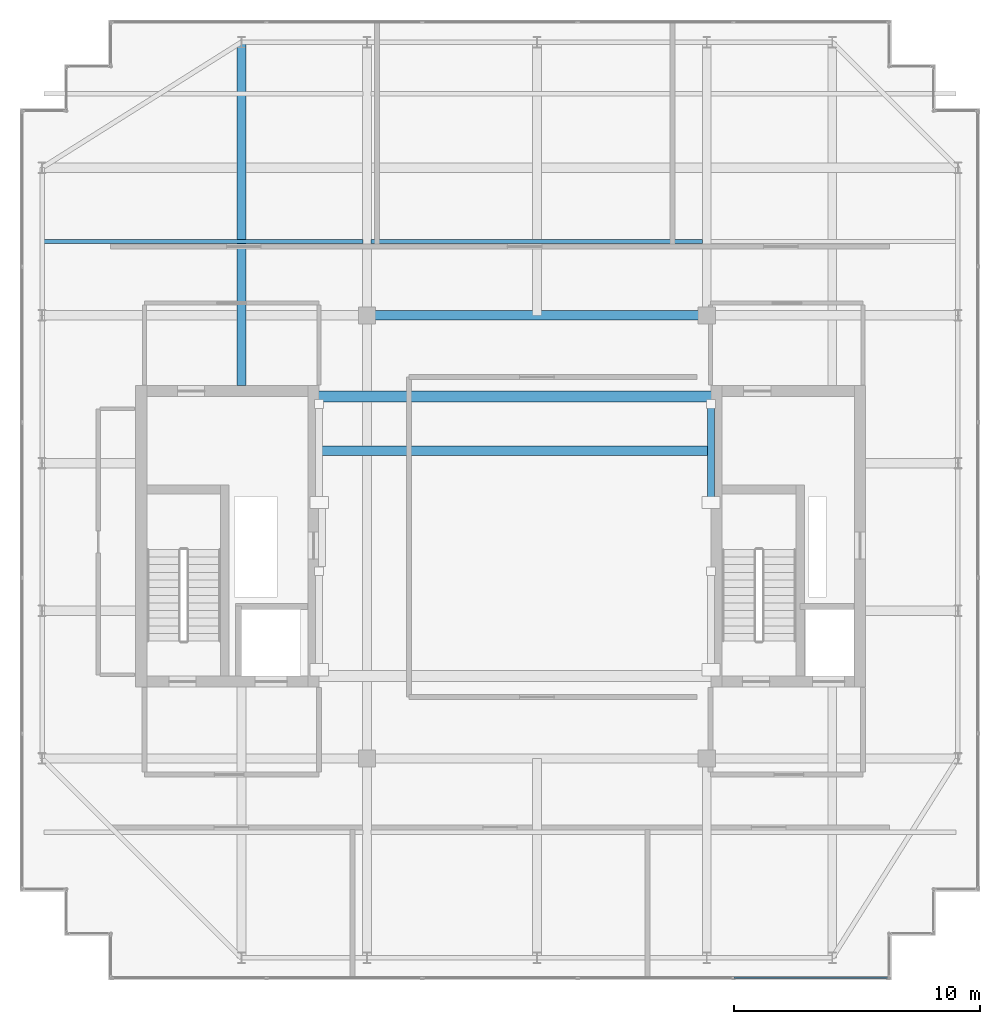
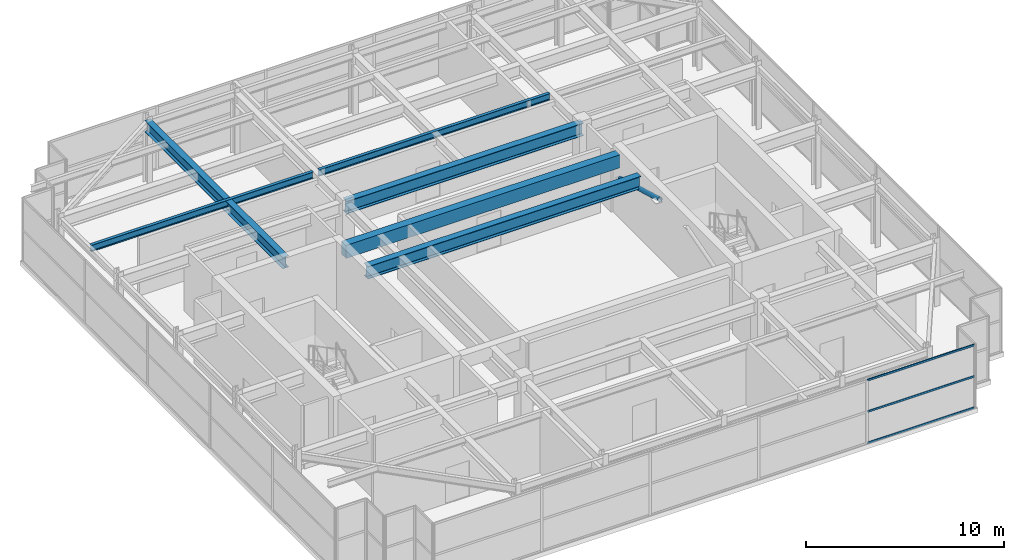
# One storey, part 14 of 32: 6 beams, 4 members, 1 element without a shape of its own.
"""IFC4 building model written with IfcOpenShell, lengths in metres."""

from ifc_helpers import new_model, si_unit, direction, frame, origin, origin_2d, place, context, subcontext, project, spatial, rectangle, hollow_rectangle, hollow_circle, i_section, extrude, source, transform, mapped, material, layer, layer_set, material_profile, profile_set, type_object, element, aggregate, save


model = new_model("IFC4")

# Units and contexts
model_context = context("Model", 3, precision=1e-05, world=origin(), true_north=direction((0.0, 1.0)))
body_context = subcontext(model_context, "Body", "Model", "MODEL_VIEW")
ifc_project = project(units=[si_unit("LENGTHUNIT", "METRE"), si_unit("AREAUNIT", "SQUARE_METRE"), si_unit("VOLUMEUNIT", "CUBIC_METRE"), si_unit("PLANEANGLEUNIT", "RADIAN"), si_unit("MASSUNIT", "GRAM", prefix="KILO")], contexts=[model_context])

# Site, building, storey
site_placement = place(None, origin())
site = spatial("IfcSite", under=ifc_project, at=site_placement, CompositionType="ELEMENT")
building_placement = place(site_placement, origin())
building = spatial("IfcBuilding", under=site, at=building_placement, Name="Khoralis Quay Care Tower", CompositionType="ELEMENT")
storey_placement = place(building_placement, frame((0.0, 0.0, 306.300048828125)))
storey = spatial("IfcBuildingStorey", under=building, at=storey_placement, Name="L80", CompositionType="ELEMENT", Elevation=306.300048828125)

# Beams
ifc_material_1 = material(Name="Concrete C50/60", Category="concrete")
ifc_material_profile_1 = material_profile(ifc_material_1, rectangle(XDim=0.449951171875, YDim=0.800048828125, at=origin_2d()), Name="Concrete C50/60")
ifc_profile_set_1 = profile_set([ifc_material_profile_1], Name="Concrete C50/60")
beam_type_1 = type_object("IfcBeamType", Name="CB-RC450X800", PredefinedType="LINTEL", material=ifc_profile_set_1)
shared_shape_1 = source(origin(), body_context, "Body", "SweptSolid", [
    extrude(rectangle(XDim=0.449951171875, YDim=0.800048828125, at=origin_2d()), origin(), (0.0, 0.0, 1.0), 15.97998046875),
])
beam_1_placement = place(storey_placement, frame((15.1201171875, 26.699951171875, 3.52001953125), z_axis=(1.0, 0.0, 0.0), x_axis=(0.0, 1.0, 0.0)))
element("IfcBeam", 1, at=beam_1_placement, inside=storey, type_object=beam_type_1, Name="L80 North Core Coupling Lintel", PredefinedType="LINTEL", context=body_context, shape_type="MappedRepresentation", body=[
    mapped(shared_shape_1, transform((0.0, 0.0, 0.0), scale=1.0)),
])
ifc_material_2 = material(Name="Steel S355", Category="steel")
ifc_material_profile_2 = material_profile(ifc_material_2, i_section(OverallWidth=0.381103515625, OverallDepth=0.77294921875, WebThickness=0.0166015625, FlangeThickness=0.027587890625, FilletRadius=0.02197265625, at=origin_2d()), Name="Steel S355")
ifc_profile_set_2 = profile_set([ifc_material_profile_2], Name="Steel S355")
beam_type_2 = type_object("IfcBeamType", Name="BM-W760X257", PredefinedType="BEAM", material=ifc_profile_set_2)
shared_shape_2 = source(origin(), body_context, "Body", "SweptSolid", [
    extrude(i_section(OverallWidth=0.381103515625, OverallDepth=0.77294921875, WebThickness=0.0166015625, FlangeThickness=0.027587890625, FilletRadius=0.02197265625, at=origin_2d()), origin(), (0.0, 0.0, 1.0), 13.7998046875),
])
beam_2_placement = place(storey_placement, frame((17.10009765625, 30.0, 3.533447265625), z_axis=(1.0, 0.0, 0.0), x_axis=(0.0, 1.0, 0.0)))
element("IfcBeam", 2, at=beam_2_placement, inside=storey, type_object=beam_type_2, Name="BM-TGCC-L80-300", PredefinedType="BEAM", context=body_context, shape_type="MappedRepresentation", body=[
    mapped(shared_shape_2, transform((0.0, 0.0, 0.0), scale=1.0)),
])
ifc_material_profile_3 = material_profile(ifc_material_2, i_section(OverallWidth=0.177978515625, OverallDepth=0.406982421875, WebThickness=0.0078125, FlangeThickness=0.0126953125, FilletRadius=0.012939453125, at=origin_2d()), Name="Steel S355")
ifc_profile_set_3 = profile_set([ifc_material_profile_3], Name="Steel S355")
beam_type_3 = type_object("IfcBeamType", Name="BM-W410X60", PredefinedType="JOIST", material=ifc_profile_set_3)
shared_shape_3 = source(origin(), body_context, "Body", "SweptSolid", [
    extrude(i_section(OverallWidth=0.177978515625, OverallDepth=0.406982421875, WebThickness=0.0078125, FlangeThickness=0.0126953125, FilletRadius=0.012939453125, at=origin_2d()), origin(), (0.0, 0.0, 1.0), 13.46923828125),
])
beam_3_placement = place(storey_placement, frame((17.265380859375, 33.0, 3.716552734375), z_axis=(1.0, 0.0, 0.0), x_axis=(0.0, 1.0, 0.0)))
element("IfcBeam", 3, at=beam_3_placement, inside=storey, type_object=beam_type_3, Name="BM-TJS-L80-26", PredefinedType="JOIST", context=body_context, shape_type="MappedRepresentation", body=[
    mapped(shared_shape_3, transform((0.0, 0.0, 0.0), scale=1.0)),
])
shared_shape_4 = source(origin(), body_context, "Body", "SweptSolid", [
    extrude(i_section(OverallWidth=0.381103515625, OverallDepth=0.77294921875, WebThickness=0.0166015625, FlangeThickness=0.027587890625, FilletRadius=0.02197265625, at=origin_2d()), origin(), (0.0, 0.0, 1.0), 15.924072265625),
])
beam_4_placement = place(storey_placement, frame((15.14794921875, 24.5, 3.533447265625), z_axis=(1.0, 0.0, 0.0), x_axis=(0.0, 1.0, 0.0)))
element("IfcBeam", 4, at=beam_4_placement, inside=storey, type_object=beam_type_2, Name="BM-TGCC-L80-245", PredefinedType="BEAM", context=body_context, shape_type="MappedRepresentation", body=[
    mapped(shared_shape_4, transform((0.0, 0.0, 0.0), scale=1.0)),
])
ifc_material_profile_4 = material_profile(ifc_material_2, i_section(OverallWidth=0.35498046875, OverallDepth=0.695068359375, WebThickness=0.015380859375, FlangeThickness=0.02490234375, FilletRadius=0.02001953125, at=origin_2d()), Name="Steel S355")
ifc_profile_set_4 = profile_set([ifc_material_profile_4], Name="Steel S355")
beam_type_4 = type_object("IfcBeamType", Name="BM-W690X217", PredefinedType="BEAM", material=ifc_profile_set_4)
shared_shape_5 = source(origin(), body_context, "Body", "SweptSolid", [
    extrude(i_section(OverallWidth=0.35498046875, OverallDepth=0.695068359375, WebThickness=0.015380859375, FlangeThickness=0.02490234375, FilletRadius=0.02001953125, at=origin_2d()), origin(), (0.0, 0.0, 1.0), 13.9521484375),
])
beam_5_placement = place(storey_placement, frame((12.0, 27.14794921875, 3.572509765625), z_axis=(0.0, 1.0, 0.0), x_axis=(-1.0, 0.0, 0.0)))
element("IfcBeam", 5, at=beam_5_placement, inside=storey, type_object=beam_type_4, Name="BM-TGYN-L80-120", PredefinedType="BEAM", context=body_context, shape_type="MappedRepresentation", body=[
    mapped(shared_shape_5, transform((0.0, 0.0, 0.0), scale=1.0)),
])
shared_shape_6 = source(origin(), body_context, "Body", "SweptSolid", [
    extrude(i_section(OverallWidth=0.177978515625, OverallDepth=0.406982421875, WebThickness=0.0078125, FlangeThickness=0.0126953125, FilletRadius=0.012939453125, at=origin_2d()), origin(), (0.0, 0.0, 1.0), 12.95361328125),
])
beam_6_placement = place(storey_placement, frame((3.98095703125, 33.0, 3.716552734375), z_axis=(1.0, 0.0, 0.0), x_axis=(0.0, 1.0, 0.0)))
element("IfcBeam", 6, at=beam_6_placement, inside=storey, type_object=beam_type_3, Name="BM-TJS-L80-24", PredefinedType="JOIST", context=body_context, shape_type="MappedRepresentation", body=[
    mapped(shared_shape_6, transform((0.0, 0.0, 0.0), scale=1.0)),
])

# Member
ifc_material_profile_5 = material_profile(ifc_material_2, hollow_circle(Radius=0.136474609375, WallThickness=0.012451171875, at=origin_2d()), Name="Steel S355")
ifc_profile_set_5 = profile_set([ifc_material_profile_5], Name="Steel S355")
member_type_1 = type_object("IfcMemberType", Name="ST-CHS273X12", PredefinedType="STRUT", material=ifc_profile_set_5)
shared_shape_7 = source(origin(), body_context, "Body", "SweptSolid", [
    extrude(hollow_circle(Radius=0.136474609375, WallThickness=0.012451171875, at=origin_2d()), origin(), (0.0, 0.0, 1.0), 4.156494140625),
])
member_1_placement = place(storey_placement, frame((31.072021484375, 22.39990234375, 3.64990234375), z_axis=(0.0, 0.962344148942, -0.2718340284), x_axis=(-1.0, 0.0, 0.0)))
element("IfcMember", 7, at=member_1_placement, inside=storey, type_object=member_type_1, Name="L80 Lantern Diagrid Strut 4", PredefinedType="STRUT", context=body_context, shape_type="MappedRepresentation", body=[
    mapped(shared_shape_7, transform((0.0, 0.0, 0.0), scale=1.0)),
])

# Curtain wall, members
ifc_material_3 = material(Name="Pale anodised aluminium", Category="aluminium")
ifc_layer = layer(ifc_material_3, 0.199951171875)
ifc_layer_set = layer_set([ifc_layer], Name="Pale anodised aluminium")
curtain_wall_type = type_object("IfcCurtainWallType", Name="CW-SYS-LANTERN", PredefinedType="NOTDEFINED", material=ifc_layer_set)
curtain_wall_placement = place(storey_placement, origin())
curtain_wall = element("IfcCurtainWall", 8, at=curtain_wall_placement, inside=storey, type_object=curtain_wall_type, Name="L80 Unitised Curtain Wall CW-LN-L80-01", PredefinedType="NOTDEFINED")
ifc_material_profile_6 = material_profile(ifc_material_3, hollow_rectangle(XDim=0.054931640625, YDim=0.1201171875, WallThickness=0.00390625, at=origin_2d()), Name="Pale anodised aluminium")
ifc_profile_set_6 = profile_set([ifc_material_profile_6], Name="Pale anodised aluminium")
member_type_2 = type_object("IfcMemberType", Name="CW-TRN-120", PredefinedType="USERDEFINED", material=ifc_profile_set_6)
shared_shape_8 = source(origin(), body_context, "Body", "SweptSolid", [
    extrude(hollow_rectangle(XDim=0.054931640625, YDim=0.1201171875, WallThickness=0.00390625, at=origin_2d()), origin(), (0.0, 0.0, 1.0), 6.23388671875),
])
member_2_placement = place(storey_placement, frame((32.01611328125, 3.090087890625, 0.030029296875), z_axis=(1.0, 0.0, 0.0), x_axis=(0.0, 1.0, 0.0)))
member_2 = element("IfcMember", 9, at=member_2_placement, type_object=member_type_2, Name="CW5 transom 5.1", ObjectType="TRANSOM", PredefinedType="USERDEFINED", context=body_context, shape_type="MappedRepresentation", body=[
    mapped(shared_shape_8, transform((0.0, 0.0, 0.0), scale=1.0)),
])
member_3_placement = place(storey_placement, frame((32.01611328125, 3.090087890625, 1.9599609375), z_axis=(1.0, 0.0, 0.0), x_axis=(0.0, 1.0, 0.0)))
member_3 = element("IfcMember", 10, at=member_3_placement, type_object=member_type_2, Name="CW5 transom 5.2", ObjectType="TRANSOM", PredefinedType="USERDEFINED", context=body_context, shape_type="MappedRepresentation", body=[
    mapped(shared_shape_8, transform((0.0, 0.0, 0.0), scale=1.0)),
])
member_4_placement = place(storey_placement, frame((32.01611328125, 3.090087890625, 3.889892578125), z_axis=(1.0, 0.0, 0.0), x_axis=(0.0, 1.0, 0.0)))
member_4 = element("IfcMember", 11, at=member_4_placement, type_object=member_type_2, Name="CW5 transom 5.3", ObjectType="TRANSOM", PredefinedType="USERDEFINED", context=body_context, shape_type="MappedRepresentation", body=[
    mapped(shared_shape_8, transform((0.0, 0.0, 0.0), scale=1.0)),
])
aggregate(curtain_wall, [member_2, member_3, member_4])

save(model, "model.ifc")
